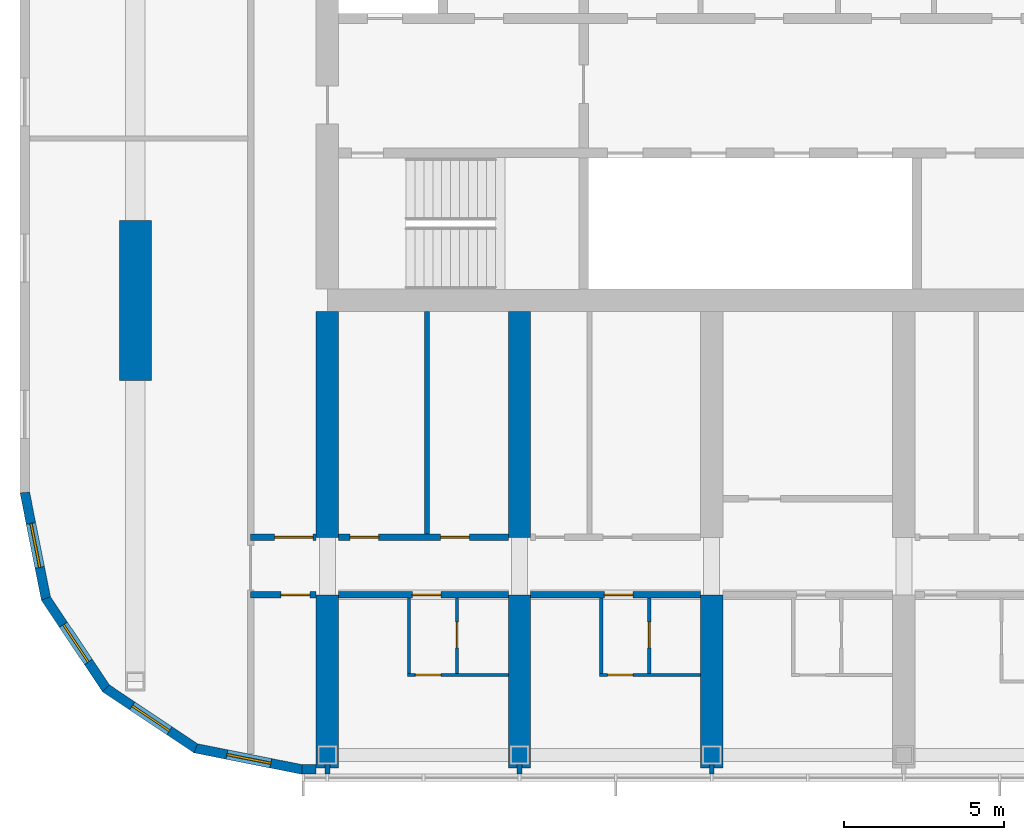
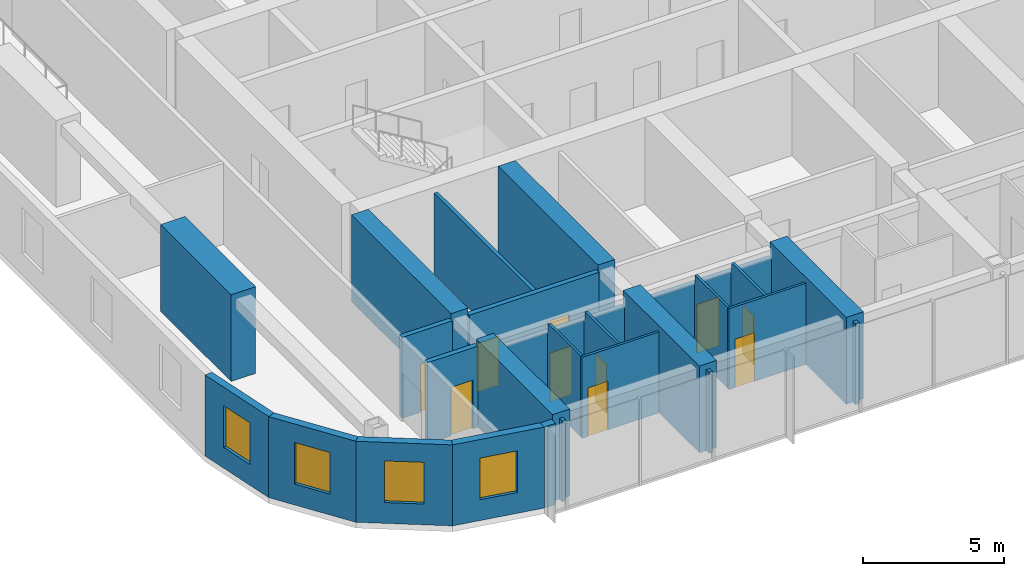
# One storey, part 10 of 23: 26 walls, 10 doors, 4 windows, 14 openings.
"""IFC4 building model written with IfcOpenShell, lengths in metres."""

from ifc_helpers import new_model, si_unit, direction, frame, frame_2d, origin, place, context, subcontext, project, spatial, polyline, rectangle, outline, extrude, material, layer, layer_set, type_object, element, fill, save


model = new_model("IFC4")

# Units and contexts
model_context = context("Model", 3, precision=1e-05, world=origin(), true_north=direction((0.0, 1.0)))
body_context = subcontext(model_context, "Body", "Model", "MODEL_VIEW")
ifc_project = project(units=[si_unit("LENGTHUNIT", "METRE"), si_unit("AREAUNIT", "SQUARE_METRE"), si_unit("VOLUMEUNIT", "CUBIC_METRE"), si_unit("PLANEANGLEUNIT", "RADIAN"), si_unit("MASSUNIT", "GRAM", prefix="KILO")], contexts=[model_context])

# Site, building, storey
site_placement = place(None, origin())
site = spatial("IfcSite", under=ifc_project, at=site_placement, CompositionType="ELEMENT")
building_placement = place(site_placement, origin())
building = spatial("IfcBuilding", under=site, at=building_placement, Name="Orbita Commons", CompositionType="ELEMENT")
storey_placement = place(building_placement, frame((0.0, 0.0, 250.300048828125)))
storey = spatial("IfcBuildingStorey", under=building, at=storey_placement, Name="L62", CompositionType="ELEMENT", Elevation=250.300048828125)

# Wall, opening, door
ifc_material_1 = material(Name="Concrete blockwork", Category="masonry")
ifc_layer_1 = layer(ifc_material_1, 0.199951171875)
ifc_layer_set_1 = layer_set([ifc_layer_1], Name="Concrete blockwork")
wall_type_1 = type_object("IfcWallType", Name="Corridor wall 200 blockwork", PredefinedType="SOLIDWALL", material=ifc_layer_set_1)
wall_1_placement = place(storey_placement, frame((15.60009765625, 16.60009765625, 0.0), z_axis=(0.0, 0.0, 1.0), x_axis=(1.0, 0.0, 0.0)))
wall_1 = element("IfcWall", 1, at=wall_1_placement, inside=storey, type_object=wall_type_1, Name="Corridor wall 200 blockwork L62", PredefinedType="SOLIDWALL", context=body_context, shape_type="SweptSolid", body=[
    extrude(rectangle(XDim=2.0498046875, YDim=0.199951171875, at=frame_2d((1.02490234375, 0.0))), origin(), (0.0, 0.0, 1.0), 3.5),
])
opening_1_placement = place(wall_1_placement, frame((0.949951171875, 0.0, 0.0)))
opening_1 = element("IfcOpeningElement", 2, at=opening_1_placement, cuts=wall_1, Name="Opening D05", PredefinedType="OPENING", context=body_context, shape_type="SweptSolid", body=[
    extrude(rectangle(XDim=0.89990234375, YDim=2.10009765625, at=frame_2d((0.449951171875, 1.050048828125))), frame((0.0, 0.10986328125, 0.0), z_axis=(0.0, -1.0, 0.0), x_axis=(1.0, 0.0, 0.0)), (0.0, 0.0, 1.0), 0.219970703125),
])
ifc_material_2 = material(Name="Steel-faced fire door leaf", Category="steel")
door_type_1 = type_object("IfcDoorType", Name="Service door 20 min 900x2100", OperationType="SINGLE_SWING_LEFT", PredefinedType="DOOR", material=ifc_material_2)
door_1_placement = place(opening_1_placement, origin())
door_1 = element("IfcDoor", 3, at=door_1_placement, inside=storey, type_object=door_type_1, Name="Linen store L62-KWS door", OperationType="SINGLE_SWING_LEFT", OverallHeight=2.10009765625, OverallWidth=0.89990234375, PredefinedType="DOOR", context=body_context, shape_type="SweptSolid", body=[
    extrude(rectangle(XDim=0.89990234375, YDim=2.10009765625, at=frame_2d((0.449951171875, 1.050048828125))), frame((0.0, 0.02490234375, 0.0), z_axis=(0.0, -1.0, 0.0), x_axis=(1.0, 0.0, 0.0)), (0.0, 0.0, 1.0), 0.050048828125),
])
fill(opening_1, door_1)

wall_2_placement = place(storey_placement, frame((18.35009765625, 16.60009765625, 0.0), z_axis=(0.0, 0.0, 1.0), x_axis=(1.0, 0.0, 0.0)))
wall_2 = element("IfcWall", 4, at=wall_2_placement, inside=storey, type_object=wall_type_1, Name="Corridor wall 200 blockwork L62", PredefinedType="SOLIDWALL", context=body_context, shape_type="SweptSolid", body=[
    extrude(outline(polyline([(0.0, 0.0), (5.2998046875, 0.0), (5.300048828125, 3.099853515625), (0.0, 3.099853515625), (0.0, 0.0)])), frame((0.0, 0.10009765625, 0.0), z_axis=(0.0, -1.0, 0.0), x_axis=(1.0, 0.0, 0.0)), (0.0, 0.0, 1.0), 0.199951171875),
])
opening_2_placement = place(wall_2_placement, frame((2.300048828125, 0.0, 0.0)))
opening_2 = element("IfcOpeningElement", 5, at=opening_2_placement, cuts=wall_2, Name="Opening D11", PredefinedType="OPENING", context=body_context, shape_type="SweptSolid", body=[
    extrude(rectangle(XDim=0.89990234375, YDim=2.10009765625, at=frame_2d((0.449951171875, 1.050048828125))), frame((0.0, 0.10986328125, 0.0), z_axis=(0.0, -1.0, 0.0), x_axis=(1.0, 0.0, 0.0)), (0.0, 0.0, 1.0), 0.219970703125),
])
ifc_material_3 = material(Name="Steel-faced fire door leaf", Category="steel")
door_type_2 = type_object("IfcDoorType", Name="Corridor door 20 min 900x2100", OperationType="SINGLE_SWING_LEFT", PredefinedType="DOOR", material=ifc_material_3)
door_2_placement = place(opening_2_placement, origin())
door_2 = element("IfcDoor", 6, at=door_2_placement, inside=storey, type_object=door_type_2, Name="Studio flat L62-S00 entrance door", OperationType="SINGLE_SWING_LEFT", OverallHeight=2.10009765625, OverallWidth=0.89990234375, PredefinedType="DOOR", context=body_context, shape_type="SweptSolid", body=[
    extrude(rectangle(XDim=0.89990234375, YDim=2.10009765625, at=frame_2d((0.449951171875, 1.050048828125))), frame((0.0, 0.02490234375, 0.0), z_axis=(0.0, -1.0, 0.0), x_axis=(1.0, 0.0, 0.0)), (0.0, 0.0, 1.0), 0.050048828125),
])
fill(opening_2, door_2)

wall_3_placement = place(storey_placement, frame((24.35009765625, 16.60009765625, 0.0), z_axis=(0.0, 0.0, 1.0), x_axis=(1.0, 0.0, 0.0)))
wall_3 = element("IfcWall", 7, at=wall_3_placement, inside=storey, type_object=wall_type_1, Name="Corridor wall 200 blockwork L62", PredefinedType="SOLIDWALL", context=body_context, shape_type="SweptSolid", body=[
    extrude(outline(polyline([(0.0, 0.0), (5.2998046875, 0.0), (5.300048828125, 3.099853515625), (0.0, 3.099853515625), (0.0, 0.0)])), frame((0.0, 0.10009765625, 0.0), z_axis=(0.0, -1.0, 0.0), x_axis=(1.0, 0.0, 0.0)), (0.0, 0.0, 1.0), 0.199951171875),
])
opening_3_placement = place(wall_3_placement, frame((2.300048828125, 0.0, 0.0)))
opening_3 = element("IfcOpeningElement", 8, at=opening_3_placement, cuts=wall_3, Name="Opening D11", PredefinedType="OPENING", context=body_context, shape_type="SweptSolid", body=[
    extrude(rectangle(XDim=0.89990234375, YDim=2.10009765625, at=frame_2d((0.449951171875, 1.050048828125))), frame((0.0, 0.10986328125, 0.0), z_axis=(0.0, -1.0, 0.0), x_axis=(1.0, 0.0, 0.0)), (0.0, 0.0, 1.0), 0.219970703125),
])
door_3_placement = place(opening_3_placement, origin())
door_3 = element("IfcDoor", 9, at=door_3_placement, inside=storey, type_object=door_type_2, Name="Studio flat L62-S02 entrance door", OperationType="SINGLE_SWING_LEFT", OverallHeight=2.10009765625, OverallWidth=0.89990234375, PredefinedType="DOOR", context=body_context, shape_type="SweptSolid", body=[
    extrude(rectangle(XDim=0.89990234375, YDim=2.10009765625, at=frame_2d((0.449951171875, 1.050048828125))), frame((0.0, 0.02490234375, 0.0), z_axis=(0.0, -1.0, 0.0), x_axis=(1.0, 0.0, 0.0)), (0.0, 0.0, 1.0), 0.050048828125),
])
fill(opening_3, door_3)

ifc_material_4 = material(Name="Hollow concrete block 200", Category="concrete")
ifc_layer_2 = layer(ifc_material_4, 0.199951171875)
ifc_layer_set_2 = layer_set([ifc_layer_2], Name="Hollow concrete block 200")
wall_type_2 = type_object("IfcWallType", Name="Corridor wall 200 hollow concrete block", PredefinedType="SOLIDWALL", material=ifc_layer_set_2)
wall_4_placement = place(storey_placement, frame((15.60009765625, 18.39990234375, 0.0), z_axis=(0.0, 0.0, 1.0), x_axis=(1.0, 0.0, 0.0)))
wall_4 = element("IfcWall", 10, at=wall_4_placement, inside=storey, type_object=wall_type_2, Name="Corridor wall 200 hollow concrete block L62", PredefinedType="SOLIDWALL", context=body_context, shape_type="SweptSolid", body=[
    extrude(rectangle(XDim=2.0498046875, YDim=0.199951171875, at=frame_2d((1.02490234375, 0.0))), origin(), (0.0, 0.0, 1.0), 3.5),
])
opening_4_placement = place(wall_4_placement, frame((0.75, 0.0, 0.0)))
opening_4 = element("IfcOpeningElement", 11, at=opening_4_placement, cuts=wall_4, Name="Opening D12", PredefinedType="OPENING", context=body_context, shape_type="SweptSolid", body=[
    extrude(rectangle(XDim=1.199951171875, YDim=2.10009765625, at=frame_2d((0.60009765625, 1.050048828125))), frame((0.0, 0.10986328125, 0.0), z_axis=(0.0, -1.0, 0.0), x_axis=(1.0, 0.0, 0.0)), (0.0, 0.0, 1.0), 0.219970703125),
])
ifc_material_5 = material(Name="Steel-faced fire door leaf", Category="steel")
door_type_3 = type_object("IfcDoorType", Name="Double corridor door 20 min 1200x2100", OperationType="DOUBLE_DOOR_SINGLE_SWING", PredefinedType="DOOR", material=ifc_material_5)
door_4_placement = place(opening_4_placement, origin())
door_4 = element("IfcDoor", 12, at=door_4_placement, inside=storey, type_object=door_type_3, Name="Cross corridor doors", OperationType="DOUBLE_DOOR_SINGLE_SWING", OverallHeight=2.10009765625, OverallWidth=1.199951171875, PredefinedType="DOOR", context=body_context, shape_type="SweptSolid", body=[
    extrude(rectangle(XDim=1.199951171875, YDim=2.10009765625, at=frame_2d((0.60009765625, 1.050048828125))), frame((0.0, 0.02490234375, 0.0), z_axis=(0.0, -1.0, 0.0), x_axis=(1.0, 0.0, 0.0)), (0.0, 0.0, 1.0), 0.050048828125),
])
fill(opening_4, door_4)

# Wall, openings, doors
wall_5_placement = place(storey_placement, frame((18.35009765625, 18.39990234375, 0.0), z_axis=(0.0, 0.0, 1.0), x_axis=(1.0, 0.0, 0.0)))
wall_5 = element("IfcWall", 13, at=wall_5_placement, inside=storey, type_object=wall_type_2, Name="Corridor wall 200 hollow concrete block L62", PredefinedType="SOLIDWALL", context=body_context, shape_type="SweptSolid", body=[
    extrude(rectangle(XDim=5.2998046875, YDim=0.199951171875, at=frame_2d((2.64990234375, 0.0))), origin(), (0.0, 0.0, 1.0), 3.5),
])
opening_5_placement = place(wall_5_placement, frame((0.35009765625, 0.0, 0.0)))
opening_5 = element("IfcOpeningElement", 14, at=opening_5_placement, cuts=wall_5, Name="Opening D11", PredefinedType="OPENING", context=body_context, shape_type="SweptSolid", body=[
    extrude(rectangle(XDim=0.89990234375, YDim=2.10009765625, at=frame_2d((0.449951171875, 1.050048828125))), frame((0.0, 0.10986328125, 0.0), z_axis=(0.0, -1.0, 0.0), x_axis=(1.0, 0.0, 0.0)), (0.0, 0.0, 1.0), 0.219970703125),
])
opening_6_placement = place(wall_5_placement, frame((3.18505859375, 0.0, 0.0)))
opening_6 = element("IfcOpeningElement", 15, at=opening_6_placement, cuts=wall_5, Name="Opening D11", PredefinedType="OPENING", context=body_context, shape_type="SweptSolid", body=[
    extrude(rectangle(XDim=0.89990234375, YDim=2.10009765625, at=frame_2d((0.449951171875, 1.050048828125))), frame((0.0, 0.10986328125, 0.0), z_axis=(0.0, -1.0, 0.0), x_axis=(1.0, 0.0, 0.0)), (0.0, 0.0, 1.0), 0.219970703125),
])
door_5_placement = place(opening_5_placement, origin())
door_5 = element("IfcDoor", 16, at=door_5_placement, inside=storey, type_object=door_type_2, Name="Accessible WC and shower room L62-BDS18n door", OperationType="SINGLE_SWING_LEFT", OverallHeight=2.10009765625, OverallWidth=0.89990234375, PredefinedType="DOOR", context=body_context, shape_type="SweptSolid", body=[
    extrude(rectangle(XDim=0.89990234375, YDim=2.10009765625, at=frame_2d((0.449951171875, 1.050048828125))), frame((0.0, 0.02490234375, 0.0), z_axis=(0.0, -1.0, 0.0), x_axis=(1.0, 0.0, 0.0)), (0.0, 0.0, 1.0), 0.050048828125),
])
fill(opening_5, door_5)
door_6_placement = place(opening_6_placement, origin())
door_6 = element("IfcDoor", 17, at=door_6_placement, inside=storey, type_object=door_type_2, Name="Meeting room L62-BDS18 door", OperationType="SINGLE_SWING_LEFT", OverallHeight=2.10009765625, OverallWidth=0.89990234375, PredefinedType="DOOR", context=body_context, shape_type="SweptSolid", body=[
    extrude(rectangle(XDim=0.89990234375, YDim=2.10009765625, at=frame_2d((0.449951171875, 1.050048828125))), frame((0.0, 0.02490234375, 0.0), z_axis=(0.0, -1.0, 0.0), x_axis=(1.0, 0.0, 0.0)), (0.0, 0.0, 1.0), 0.050048828125),
])
fill(opening_6, door_6)

# Walls
ifc_material_6 = material(Name="Concrete C50/60", Category="concrete")
ifc_layer_3 = layer(ifc_material_6, 0.699951171875)
ifc_layer_set_3 = layer_set([ifc_layer_3], Name="Concrete C50/60")
wall_type_3 = type_object("IfcWallType", Name="Cross wall 700 C50/60", PredefinedType="SHEAR", material=ifc_layer_set_3)
wall_6_placement = place(storey_placement, frame((18.0, 11.199951171875, 0.0), z_axis=(0.0, 0.0, 1.0), x_axis=(0.0, 1.0, 0.0)))
element("IfcWall", 18, at=wall_6_placement, inside=storey, type_object=wall_type_3, Name="Cross wall 4 south outer L62", PredefinedType="SHEAR", context=body_context, shape_type="SweptSolid", body=[
    extrude(rectangle(XDim=5.400146484375, YDim=0.699951171875, at=frame_2d((2.7001953125, 0.0))), origin(), (0.0, 0.0, 1.0), 3.75),
])
wall_7_placement = place(storey_placement, frame((18.0, 18.39990234375, 0.0), z_axis=(0.0, 0.0, 1.0), x_axis=(0.0, 1.0, 0.0)))
element("IfcWall", 19, at=wall_7_placement, inside=storey, type_object=wall_type_3, Name="Cross wall 4 south inner L62", PredefinedType="SHEAR", context=body_context, shape_type="SweptSolid", body=[
    extrude(rectangle(XDim=7.050048828125, YDim=0.699951171875, at=frame_2d((3.52490234375, 0.0))), origin(), (0.0, 0.0, 1.0), 3.75),
])
wall_8_placement = place(storey_placement, frame((24.0, 11.199951171875, 0.0), z_axis=(0.0, 0.0, 1.0), x_axis=(0.0, 1.0, 0.0)))
element("IfcWall", 20, at=wall_8_placement, inside=storey, type_object=wall_type_3, Name="Cross wall 5 south outer L62", PredefinedType="SHEAR", context=body_context, shape_type="SweptSolid", body=[
    extrude(rectangle(XDim=5.400146484375, YDim=0.699951171875, at=frame_2d((2.7001953125, 0.0))), origin(), (0.0, 0.0, 1.0), 3.75),
])
wall_9_placement = place(storey_placement, frame((24.0, 18.39990234375, 0.0), z_axis=(0.0, 0.0, 1.0), x_axis=(0.0, 1.0, 0.0)))
element("IfcWall", 21, at=wall_9_placement, inside=storey, type_object=wall_type_3, Name="Cross wall 5 south inner L62", PredefinedType="SHEAR", context=body_context, shape_type="SweptSolid", body=[
    extrude(rectangle(XDim=7.050048828125, YDim=0.699951171875, at=frame_2d((3.52490234375, 0.0))), origin(), (0.0, 0.0, 1.0), 3.75),
])
wall_10_placement = place(storey_placement, frame((30.0, 11.199951171875, 0.0), z_axis=(0.0, 0.0, 1.0), x_axis=(0.0, 1.0, 0.0)))
element("IfcWall", 22, at=wall_10_placement, inside=storey, type_object=wall_type_3, Name="Cross wall 6 south outer L62", PredefinedType="SHEAR", context=body_context, shape_type="SweptSolid", body=[
    extrude(rectangle(XDim=5.400146484375, YDim=0.699951171875, at=frame_2d((2.7001953125, 0.0))), origin(), (0.0, 0.0, 1.0), 3.75),
])

# Wall, opening, door
ifc_material_7 = material(Name="Moisture-resistant plasterboard on steel studs", Category="steel")
ifc_layer_4 = layer(ifc_material_7, 0.10009765625)
ifc_layer_set_4 = layer_set([ifc_layer_4], Name="Moisture-resistant plasterboard on steel studs")
wall_type_4 = type_object("IfcWallType", Name="En-suite partition 100", PredefinedType="PARTITIONING", material=ifc_layer_set_4)
wall_11_placement = place(storey_placement, frame((23.64990234375, 14.10009765625, 0.0), z_axis=(0.0, 0.0, 1.0), x_axis=(-1.0, 0.0, 0.0)))
wall_11 = element("IfcWall", 23, at=wall_11_placement, inside=storey, type_object=wall_type_4, Name="En-suite partition 100 L62", PredefinedType="PARTITIONING", context=body_context, shape_type="SweptSolid", body=[
    extrude(rectangle(XDim=3.14990234375, YDim=0.10009765625, at=frame_2d((1.574951171875, 0.0))), origin(), (0.0, 0.0, 1.0), 3.5),
])
opening_7_placement = place(wall_11_placement, frame((2.10009765625, 0.0, 0.0)))
opening_7 = element("IfcOpeningElement", 24, at=opening_7_placement, cuts=wall_11, Name="Opening D16", PredefinedType="OPENING", context=body_context, shape_type="SweptSolid", body=[
    extrude(rectangle(XDim=0.800048828125, YDim=2.10009765625, at=frame_2d((0.39990234375, 1.050048828125))), frame((0.0, 0.06005859375, 0.0), z_axis=(0.0, -1.0, 0.0), x_axis=(1.0, 0.0, 0.0)), (0.0, 0.0, 1.0), 0.1201171875),
])
ifc_material_8 = material(Name="Laminated timber door leaf", Category="wood")
door_type_4 = type_object("IfcDoorType", Name="En-suite door 800x2100", OperationType="SINGLE_SWING_RIGHT", PredefinedType="DOOR", material=ifc_material_8)
door_7_placement = place(opening_7_placement, origin())
door_7 = element("IfcDoor", 25, at=door_7_placement, inside=storey, type_object=door_type_4, Name="Studio flat L62-S00 door", OperationType="SINGLE_SWING_RIGHT", OverallHeight=2.10009765625, OverallWidth=0.800048828125, PredefinedType="DOOR", context=body_context, shape_type="SweptSolid", body=[
    extrude(rectangle(XDim=0.800048828125, YDim=2.10009765625, at=frame_2d((0.39990234375, 1.050048828125))), frame((0.0, 0.02490234375, 0.0), z_axis=(0.0, -1.0, 0.0), x_axis=(1.0, 0.0, 0.0)), (0.0, 0.0, 1.0), 0.050048828125),
])
fill(opening_7, door_7)

# Wall
wall_12_placement = place(storey_placement, frame((20.550048828125, 14.14990234375, 0.0), z_axis=(0.0, 0.0, 1.0), x_axis=(0.0, 1.0, 0.0)))
element("IfcWall", 26, at=wall_12_placement, inside=storey, type_object=wall_type_4, Name="En-suite partition 100 L62", PredefinedType="PARTITIONING", context=body_context, shape_type="SweptSolid", body=[
    extrude(outline(polyline([(0.0, 0.0), (2.35009765625, 0.0), (2.35009765625, 3.099853515625), (2.302001953125, 3.099853515625), (2.300048828125, 3.5), (0.0, 3.5), (0.0, 0.0)])), frame((0.0, 0.050048828125, 0.0), z_axis=(0.0, -1.0, 0.0), x_axis=(1.0, 0.0, 0.0)), (0.0, 0.0, 1.0), 0.10009765625),
])

# Wall, opening, door
wall_13_placement = place(storey_placement, frame((22.050048828125, 14.14990234375, 0.0), z_axis=(0.0, 0.0, 1.0), x_axis=(0.0, 1.0, 0.0)))
wall_13 = element("IfcWall", 27, at=wall_13_placement, inside=storey, type_object=wall_type_4, Name="En-suite partition 100 L62", PredefinedType="PARTITIONING", context=body_context, shape_type="SweptSolid", body=[
    extrude(outline(polyline([(0.0, 0.0), (2.35009765625, 0.0), (2.35009765625, 3.099853515625), (2.302001953125, 3.099853515625), (2.300048828125, 3.5), (0.0, 3.5), (0.0, 0.0)])), frame((0.0, 0.050048828125, 0.0), z_axis=(0.0, -1.0, 0.0), x_axis=(1.0, 0.0, 0.0)), (0.0, 0.0, 1.0), 0.10009765625),
])
opening_8_placement = place(wall_13_placement, frame((0.800048828125, 0.0, 0.0)))
opening_8 = element("IfcOpeningElement", 28, at=opening_8_placement, cuts=wall_13, Name="Opening D16", PredefinedType="OPENING", context=body_context, shape_type="SweptSolid", body=[
    extrude(rectangle(XDim=0.800048828125, YDim=2.10009765625, at=frame_2d((0.39990234375, 1.050048828125))), frame((0.0, 0.06005859375, 0.0), z_axis=(0.0, -1.0, 0.0), x_axis=(1.0, 0.0, 0.0)), (0.0, 0.0, 1.0), 0.1201171875),
])
door_8_placement = place(opening_8_placement, origin())
door_8 = element("IfcDoor", 29, at=door_8_placement, inside=storey, type_object=door_type_4, Name="Studio flat shower room L62-S00 door", OperationType="SINGLE_SWING_RIGHT", OverallHeight=2.10009765625, OverallWidth=0.800048828125, PredefinedType="DOOR", context=body_context, shape_type="SweptSolid", body=[
    extrude(rectangle(XDim=0.800048828125, YDim=2.10009765625, at=frame_2d((0.39990234375, 1.050048828125))), frame((0.0, 0.02490234375, 0.0), z_axis=(0.0, -1.0, 0.0), x_axis=(1.0, 0.0, 0.0)), (0.0, 0.0, 1.0), 0.050048828125),
])
fill(opening_8, door_8)

wall_14_placement = place(storey_placement, frame((29.64990234375, 14.10009765625, 0.0), z_axis=(0.0, 0.0, 1.0), x_axis=(-1.0, 0.0, 0.0)))
wall_14 = element("IfcWall", 30, at=wall_14_placement, inside=storey, type_object=wall_type_4, Name="En-suite partition 100 L62", PredefinedType="PARTITIONING", context=body_context, shape_type="SweptSolid", body=[
    extrude(rectangle(XDim=3.14990234375, YDim=0.10009765625, at=frame_2d((1.574951171875, 0.0))), origin(), (0.0, 0.0, 1.0), 3.5),
])
opening_9_placement = place(wall_14_placement, frame((2.10009765625, 0.0, 0.0)))
opening_9 = element("IfcOpeningElement", 31, at=opening_9_placement, cuts=wall_14, Name="Opening D16", PredefinedType="OPENING", context=body_context, shape_type="SweptSolid", body=[
    extrude(rectangle(XDim=0.800048828125, YDim=2.10009765625, at=frame_2d((0.39990234375, 1.050048828125))), frame((0.0, 0.06005859375, 0.0), z_axis=(0.0, -1.0, 0.0), x_axis=(1.0, 0.0, 0.0)), (0.0, 0.0, 1.0), 0.1201171875),
])
door_9_placement = place(opening_9_placement, origin())
door_9 = element("IfcDoor", 32, at=door_9_placement, inside=storey, type_object=door_type_4, Name="Studio flat L62-S02 door", OperationType="SINGLE_SWING_RIGHT", OverallHeight=2.10009765625, OverallWidth=0.800048828125, PredefinedType="DOOR", context=body_context, shape_type="SweptSolid", body=[
    extrude(rectangle(XDim=0.800048828125, YDim=2.10009765625, at=frame_2d((0.39990234375, 1.050048828125))), frame((0.0, 0.02490234375, 0.0), z_axis=(0.0, -1.0, 0.0), x_axis=(1.0, 0.0, 0.0)), (0.0, 0.0, 1.0), 0.050048828125),
])
fill(opening_9, door_9)

# Wall
wall_15_placement = place(storey_placement, frame((26.550048828125, 14.14990234375, 0.0), z_axis=(0.0, 0.0, 1.0), x_axis=(0.0, 1.0, 0.0)))
element("IfcWall", 33, at=wall_15_placement, inside=storey, type_object=wall_type_4, Name="En-suite partition 100 L62", PredefinedType="PARTITIONING", context=body_context, shape_type="SweptSolid", body=[
    extrude(outline(polyline([(0.0, 0.0), (2.35009765625, 0.0), (2.35009765625, 3.099853515625), (2.302001953125, 3.099853515625), (2.300048828125, 3.5), (0.0, 3.5), (0.0, 0.0)])), frame((0.0, 0.050048828125, 0.0), z_axis=(0.0, -1.0, 0.0), x_axis=(1.0, 0.0, 0.0)), (0.0, 0.0, 1.0), 0.10009765625),
])

# Wall, opening, door
wall_16_placement = place(storey_placement, frame((28.050048828125, 14.14990234375, 0.0), z_axis=(0.0, 0.0, 1.0), x_axis=(0.0, 1.0, 0.0)))
wall_16 = element("IfcWall", 34, at=wall_16_placement, inside=storey, type_object=wall_type_4, Name="En-suite partition 100 L62", PredefinedType="PARTITIONING", context=body_context, shape_type="SweptSolid", body=[
    extrude(outline(polyline([(0.0, 0.0), (2.35009765625, 0.0), (2.35009765625, 3.099853515625), (2.302001953125, 3.099853515625), (2.300048828125, 3.5), (0.0, 3.5), (0.0, 0.0)])), frame((0.0, 0.050048828125, 0.0), z_axis=(0.0, -1.0, 0.0), x_axis=(1.0, 0.0, 0.0)), (0.0, 0.0, 1.0), 0.10009765625),
])
opening_10_placement = place(wall_16_placement, frame((0.800048828125, 0.0, 0.0)))
opening_10 = element("IfcOpeningElement", 35, at=opening_10_placement, cuts=wall_16, Name="Opening D16", PredefinedType="OPENING", context=body_context, shape_type="SweptSolid", body=[
    extrude(rectangle(XDim=0.800048828125, YDim=2.10009765625, at=frame_2d((0.39990234375, 1.050048828125))), frame((0.0, 0.06005859375, 0.0), z_axis=(0.0, -1.0, 0.0), x_axis=(1.0, 0.0, 0.0)), (0.0, 0.0, 1.0), 0.1201171875),
])
door_10_placement = place(opening_10_placement, origin())
door_10 = element("IfcDoor", 36, at=door_10_placement, inside=storey, type_object=door_type_4, Name="Studio flat shower room L62-S02 door", OperationType="SINGLE_SWING_RIGHT", OverallHeight=2.10009765625, OverallWidth=0.800048828125, PredefinedType="DOOR", context=body_context, shape_type="SweptSolid", body=[
    extrude(rectangle(XDim=0.800048828125, YDim=2.10009765625, at=frame_2d((0.39990234375, 1.050048828125))), frame((0.0, 0.02490234375, 0.0), z_axis=(0.0, -1.0, 0.0), x_axis=(1.0, 0.0, 0.0)), (0.0, 0.0, 1.0), 0.050048828125),
])
fill(opening_10, door_10)

# Walls
ifc_material_9 = material(Name="Concrete C50/60", Category="concrete")
ifc_layer_5 = layer(ifc_material_9, 1.0)
ifc_layer_set_5 = layer_set([ifc_layer_5], Name="Concrete C50/60")
wall_type_5 = type_object("IfcWallType", Name="End pier 1000x5000 C50/60", PredefinedType="SHEAR", material=ifc_layer_set_5)
wall_17_placement = place(storey_placement, frame((12.0, 23.300048828125, 0.0), z_axis=(0.0, 0.0, 1.0), x_axis=(0.0, 1.0, 0.0)))
element("IfcWall", 37, at=wall_17_placement, inside=storey, type_object=wall_type_5, Name="End pier 3/C L62", PredefinedType="SHEAR", context=body_context, shape_type="SweptSolid", body=[
    extrude(rectangle(XDim=5.0, YDim=1.0, at=frame_2d((2.5, 0.0))), origin(), (0.0, 0.0, 1.0), 3.75),
])
ifc_material_10 = material(Name="Gypsum plasterboard on steel studs", Category="steel")
ifc_layer_6 = layer(ifc_material_10, 0.14990234375)
ifc_layer_set_6 = layer_set([ifc_layer_6], Name="Gypsum plasterboard on steel studs")
wall_type_6 = type_object("IfcWallType", Name="Partition 150 plasterboard", PredefinedType="PARTITIONING", material=ifc_layer_set_6)
wall_18_placement = place(storey_placement, frame((21.110107421875, 18.5, 0.0), z_axis=(0.0, 0.0, 1.0), x_axis=(0.0, 1.0, 0.0)))
element("IfcWall", 38, at=wall_18_placement, inside=storey, type_object=wall_type_6, Name="Partition 150 plasterboard L62", PredefinedType="PARTITIONING", context=body_context, shape_type="SweptSolid", body=[
    extrude(rectangle(XDim=6.949951171875, YDim=0.14990234375, at=frame_2d((3.47509765625, 0.0))), origin(), (0.0, 0.0, 1.0), 3.5),
])
for number, where, z_axis, x_axis, name in (
    (39, (18.0, 11.300048828125, 0.0), (0.0, 0.0, 1.0), (0.0, -1.0, 0.0), "Partition 150 plasterboard L62"),
    (40, (24.0, 11.300048828125, 0.0), (0.0, 0.0, 1.0), (0.0, -1.0, 0.0), "Partition 150 plasterboard L62"),
    (41, (30.0, 11.300048828125, 0.0), (0.0, 0.0, 1.0), (0.0, -1.0, 0.0), "Partition 150 plasterboard L62"),
):
    element("IfcWall", number, at=place(storey_placement, frame(where, z_axis=z_axis, x_axis=x_axis)), inside=storey, type_object=wall_type_6, Name=name, PredefinedType="PARTITIONING", context=body_context, shape_type="SweptSolid", body=[
        extrude(rectangle(XDim=0.2900390625, YDim=0.14990234375, at=frame_2d((0.14501953125, 0.0))), origin(), (0.0, 0.0, 1.0), 3.5),
    ])

# Wall, opening, window
ifc_material_11 = material(Name="Precast concrete C40/50, white board-marked finish", Category="concrete")
ifc_layer_7 = layer(ifc_material_11, 0.300048828125)
ifc_layer_set_7 = layer_set([ifc_layer_7], Name="Precast concrete C40/50, white board-marked finish")
wall_type_7 = type_object("IfcWallType", Name="Precast concrete end shield 300", PredefinedType="SOLIDWALL", material=ifc_layer_set_7)
wall_19_placement = place(storey_placement, frame((8.550048828125, 19.800048828125, 0.0), z_axis=(0.0, 0.0, 1.0), x_axis=(0.19508664885, -0.980786011034, 0.0)))
wall_19 = element("IfcWall", 42, at=wall_19_placement, inside=storey, type_object=wall_type_7, Name="End shield SW chord 1 L62", PredefinedType="SOLIDWALL", context=body_context, shape_type="SweptSolid", body=[
    extrude(outline(polyline([(-0.014892578125, -0.14990234375), (3.405029296875, -0.14990234375), (3.345458984375, 0.14990234375), (0.014892578125, 0.14990234375), (-0.014892578125, -0.14990234375)])), origin(), (0.0, 0.0, 1.0), 3.5),
])
opening_11_placement = place(wall_19_placement, frame((0.987548828125, 0.0, 0.89990234375)))
opening_11 = element("IfcOpeningElement", 43, at=opening_11_placement, cuts=wall_19, Name="Opening W02", PredefinedType="OPENING", context=body_context, shape_type="SweptSolid", body=[
    extrude(rectangle(XDim=1.39990234375, YDim=1.800048828125, at=frame_2d((0.699951171875, 0.89990234375))), frame((0.0, 0.159912109375, 0.0), z_axis=(0.0, -1.0, 0.0), x_axis=(1.0, 0.0, 0.0)), (0.0, 0.0, 1.0), 0.320068359375),
])
ifc_material_12 = material(Name="Aluminium frame, clear double glazing", Category="aluminium")
window_type = type_object("IfcWindowType", Name="Deep-set window 1400x1800", PartitioningType="SINGLE_PANEL", PredefinedType="WINDOW", material=ifc_material_12)
window_1_placement = place(opening_11_placement, origin())
window_1 = element("IfcWindow", 44, at=window_1_placement, inside=storey, type_object=window_type, Name="Window L62-SW0", OverallHeight=1.800048828125, OverallWidth=1.39990234375, PartitioningType="SINGLE_PANEL", PredefinedType="WINDOW", context=body_context, shape_type="SweptSolid", body=[
    extrude(rectangle(XDim=1.39990234375, YDim=1.800048828125, at=frame_2d((0.699951171875, 0.89990234375))), frame((0.0, 0.030029296875, 0.0), z_axis=(0.0, -1.0, 0.0), x_axis=(1.0, 0.0, 0.0)), (0.0, 0.0, 1.0), 0.06005859375),
])
fill(opening_11, window_1)

wall_20_placement = place(storey_placement, frame((9.20849609375, 16.48974609375, 0.0), z_axis=(0.0, 0.0, 1.0), x_axis=(0.555567969291, -0.831471124873, 0.0)))
wall_20 = element("IfcWall", 45, at=wall_20_placement, inside=storey, type_object=wall_type_7, Name="End shield SW chord 2 L62", PredefinedType="SOLIDWALL", context=body_context, shape_type="SweptSolid", body=[
    extrude(outline(polyline([(-0.02978515625, -0.14990234375), (3.40478515625, -0.14990234375), (3.34521484375, 0.14990234375), (0.02978515625, 0.14990234375), (-0.02978515625, -0.14990234375)])), origin(), (0.0, 0.0, 1.0), 3.5),
])
opening_12_placement = place(wall_20_placement, frame((0.987548828125, 0.0, 0.89990234375)))
opening_12 = element("IfcOpeningElement", 46, at=opening_12_placement, cuts=wall_20, Name="Opening W02", PredefinedType="OPENING", context=body_context, shape_type="SweptSolid", body=[
    extrude(rectangle(XDim=1.39990234375, YDim=1.800048828125, at=frame_2d((0.699951171875, 0.89990234375))), frame((0.0, 0.159912109375, 0.0), z_axis=(0.0, -1.0, 0.0), x_axis=(1.0, 0.0, 0.0)), (0.0, 0.0, 1.0), 0.320068359375),
])
window_2_placement = place(opening_12_placement, origin())
window_2 = element("IfcWindow", 47, at=window_2_placement, inside=storey, type_object=window_type, Name="Window L62-SW1", OverallHeight=1.800048828125, OverallWidth=1.39990234375, PartitioningType="SINGLE_PANEL", PredefinedType="WINDOW", context=body_context, shape_type="SweptSolid", body=[
    extrude(rectangle(XDim=1.39990234375, YDim=1.800048828125, at=frame_2d((0.699951171875, 0.89990234375))), frame((0.0, 0.030029296875, 0.0), z_axis=(0.0, -1.0, 0.0), x_axis=(1.0, 0.0, 0.0)), (0.0, 0.0, 1.0), 0.06005859375),
])
fill(opening_12, window_2)

wall_21_placement = place(storey_placement, frame((11.08349609375, 13.68359375, 0.0), z_axis=(0.0, 0.0, 1.0), x_axis=(0.831460037396, -0.555584562613, 0.0)))
wall_21 = element("IfcWall", 48, at=wall_21_placement, inside=storey, type_object=wall_type_7, Name="End shield SW chord 3 L62", PredefinedType="SOLIDWALL", context=body_context, shape_type="SweptSolid", body=[
    extrude(outline(polyline([(-0.02978515625, -0.14990234375), (3.405029296875, -0.14990234375), (3.345458984375, 0.14990234375), (0.02978515625, 0.14990234375), (-0.02978515625, -0.14990234375)])), origin(), (0.0, 0.0, 1.0), 3.5),
])
opening_13_placement = place(wall_21_placement, frame((0.987548828125, 0.0, 0.89990234375)))
opening_13 = element("IfcOpeningElement", 49, at=opening_13_placement, cuts=wall_21, Name="Opening W02", PredefinedType="OPENING", context=body_context, shape_type="SweptSolid", body=[
    extrude(rectangle(XDim=1.39990234375, YDim=1.800048828125, at=frame_2d((0.699951171875, 0.89990234375))), frame((0.0, 0.159912109375, 0.0), z_axis=(0.0, -1.0, 0.0), x_axis=(1.0, 0.0, 0.0)), (0.0, 0.0, 1.0), 0.320068359375),
])
window_3_placement = place(opening_13_placement, origin())
window_3 = element("IfcWindow", 50, at=window_3_placement, inside=storey, type_object=window_type, Name="Window L62-SW2", OverallHeight=1.800048828125, OverallWidth=1.39990234375, PartitioningType="SINGLE_PANEL", PredefinedType="WINDOW", context=body_context, shape_type="SweptSolid", body=[
    extrude(rectangle(XDim=1.39990234375, YDim=1.800048828125, at=frame_2d((0.699951171875, 0.89990234375))), frame((0.0, 0.030029296875, 0.0), z_axis=(0.0, -1.0, 0.0), x_axis=(1.0, 0.0, 0.0)), (0.0, 0.0, 1.0), 0.06005859375),
])
fill(opening_13, window_3)

wall_22_placement = place(storey_placement, frame((13.889892578125, 11.808349609375, 0.0), z_axis=(0.0, 0.0, 1.0), x_axis=(0.98078325777, -0.195100490205, 0.0)))
wall_22 = element("IfcWall", 51, at=wall_22_placement, inside=storey, type_object=wall_type_7, Name="End shield SW chord 4 L62", PredefinedType="SOLIDWALL", context=body_context, shape_type="SweptSolid", body=[
    extrude(outline(polyline([(-0.02978515625, -0.14990234375), (3.40478515625, -0.14990234375), (3.34521484375, 0.14990234375), (0.02978515625, 0.14990234375), (-0.02978515625, -0.14990234375)])), origin(), (0.0, 0.0, 1.0), 3.5),
])
opening_14_placement = place(wall_22_placement, frame((0.987548828125, 0.0, 0.89990234375)))
opening_14 = element("IfcOpeningElement", 52, at=opening_14_placement, cuts=wall_22, Name="Opening W02", PredefinedType="OPENING", context=body_context, shape_type="SweptSolid", body=[
    extrude(rectangle(XDim=1.39990234375, YDim=1.800048828125, at=frame_2d((0.699951171875, 0.89990234375))), frame((0.0, 0.159912109375, 0.0), z_axis=(0.0, -1.0, 0.0), x_axis=(1.0, 0.0, 0.0)), (0.0, 0.0, 1.0), 0.320068359375),
])
window_4_placement = place(opening_14_placement, origin())
window_4 = element("IfcWindow", 53, at=window_4_placement, inside=storey, type_object=window_type, Name="Window L62-SW3", OverallHeight=1.800048828125, OverallWidth=1.39990234375, PartitioningType="SINGLE_PANEL", PredefinedType="WINDOW", context=body_context, shape_type="SweptSolid", body=[
    extrude(rectangle(XDim=1.39990234375, YDim=1.800048828125, at=frame_2d((0.699951171875, 0.89990234375))), frame((0.0, 0.030029296875, 0.0), z_axis=(0.0, -1.0, 0.0), x_axis=(1.0, 0.0, 0.0)), (0.0, 0.0, 1.0), 0.06005859375),
])
fill(opening_14, window_4)

# Wall
wall_23_placement = place(storey_placement, frame((17.199951171875, 11.14990234375, 0.0), z_axis=(0.0, 0.0, 1.0), x_axis=(1.0, 0.0, 0.0)))
element("IfcWall", 54, at=wall_23_placement, inside=storey, type_object=wall_type_7, Name="End shield SW closer L62", PredefinedType="SOLIDWALL", context=body_context, shape_type="SweptSolid", body=[
    extrude(rectangle(XDim=0.449951171875, YDim=0.300048828125, at=frame_2d((0.22509765625, 0.0))), origin(), (0.0, 0.0, 1.0), 3.5),
])

save(model, "model.ifc")
